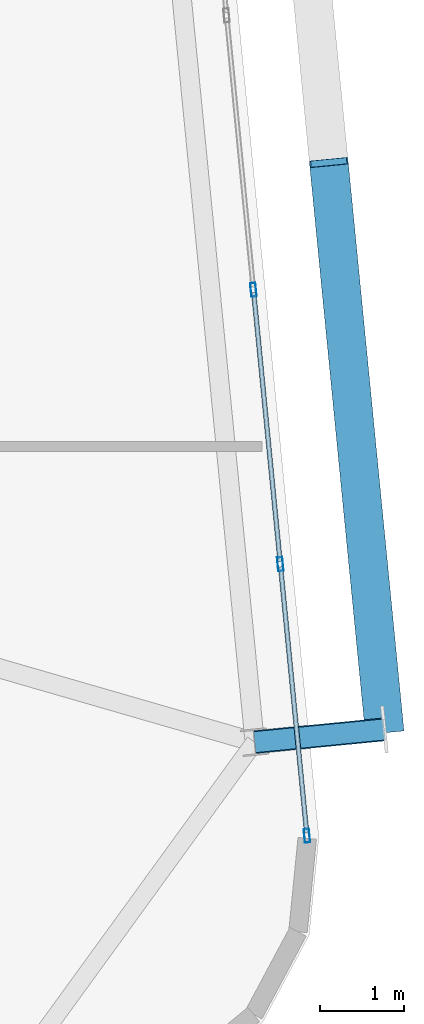
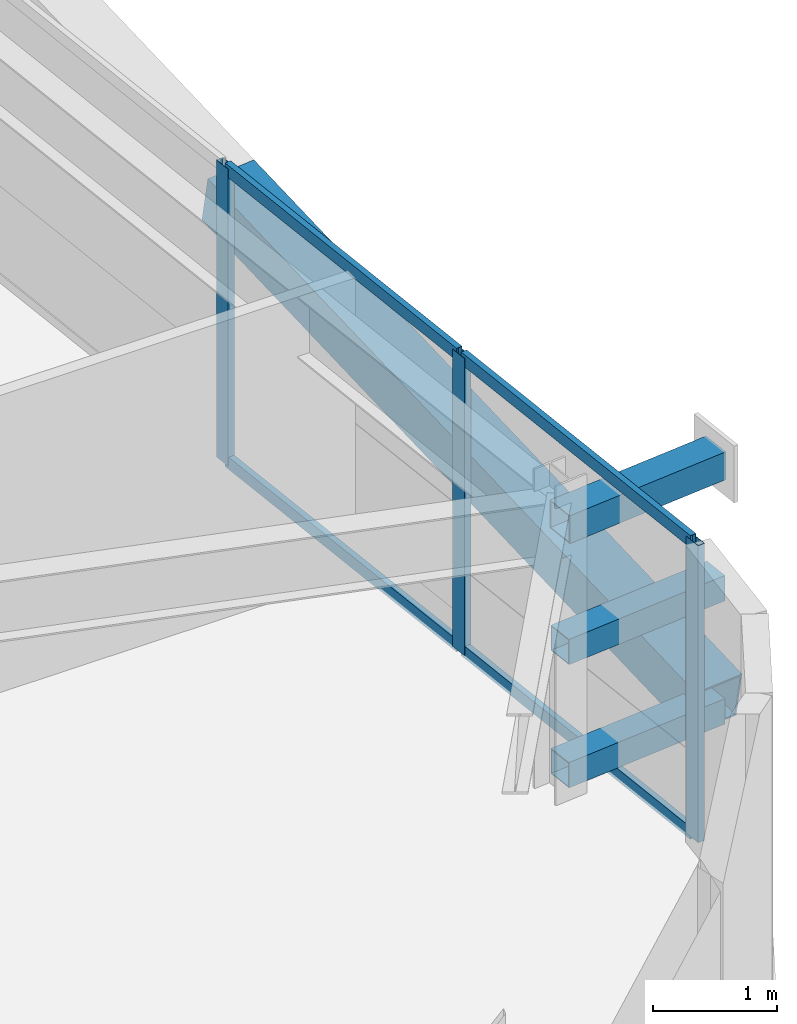
# One storey, part 22 of 52: 11 members, 1 element without a shape of its own.
"""IFC4 building model written with IfcOpenShell, lengths in metres."""

from ifc_helpers import new_model, si_unit, direction, frame, origin, origin_2d, place, context, subcontext, project, spatial, hollow_rectangle, extrude, source, transform, mapped, material, layer, layer_set, material_profile, profile_set, type_object, element, aggregate, save


model = new_model("IFC4")

# Units and contexts
model_context = context("Model", 3, precision=1e-05, world=origin(), true_north=direction((0.0, 1.0)))
body_context = subcontext(model_context, "Body", "Model", "MODEL_VIEW")
ifc_project = project(units=[si_unit("LENGTHUNIT", "METRE"), si_unit("AREAUNIT", "SQUARE_METRE"), si_unit("VOLUMEUNIT", "CUBIC_METRE"), si_unit("PLANEANGLEUNIT", "RADIAN"), si_unit("MASSUNIT", "GRAM", prefix="KILO")], contexts=[model_context])

# Site, building, storey
site_placement = place(None, origin())
site = spatial("IfcSite", under=ifc_project, at=site_placement, CompositionType="ELEMENT")
building_placement = place(site_placement, origin())
building = spatial("IfcBuilding", under=site, at=building_placement, Name="Taldren Reach Tower", CompositionType="ELEMENT")
storey_placement = place(building_placement, frame((0.0, 0.0, 74.550048828125)))
storey = spatial("IfcBuildingStorey", under=building, at=storey_placement, Name="L22", CompositionType="ELEMENT", Elevation=74.550048828125)

# Members
ifc_material_1 = material(Name="Steel Gr 450 (C450L0)", Category="steel")
ifc_material_profile_1 = material_profile(ifc_material_1, hollow_rectangle(XDim=0.27490234375, YDim=0.27490234375, WallThickness=0.00927734375, at=origin_2d()), Name="275x275x9.3SHS")
ifc_profile_set_1 = profile_set([ifc_material_profile_1], Name="Steel Gr 450 (C450L0)")
member_type_1 = type_object("IfcMemberType", Name="MB-TIE273", PredefinedType="STRUT", material=ifc_profile_set_1)
shared_shape_1 = source(origin(), body_context, "Body", "SweptSolid", [
    extrude(hollow_rectangle(XDim=0.27490234375, YDim=0.27490234375, WallThickness=0.00927734375, at=origin_2d()), origin(), (0.0, 0.0, 1.0), 1.550048828125),
])
member_1_placement = place(storey_placement, frame((65.8916015625, 8.483642578125, 2.64990234375), z_axis=(0.995236318924, 0.097491894511, 0.0), x_axis=(-0.097491894511, 0.995236318924, 0.0)))
element("IfcMember", 1, at=member_1_placement, inside=storey, type_object=member_type_1, Name="Exoskeleton diaphragm tie strut B2-E1 L22", PredefinedType="STRUT", context=body_context, shape_type="MappedRepresentation", body=[
    mapped(shared_shape_1, transform((0.0, 0.0, 0.0), scale=1.0)),
])
ifc_material_2 = material(Name="Steel Gr 350 (C350L0)", Category="steel")
ifc_material_profile_2 = material_profile(ifc_material_2, hollow_rectangle(XDim=0.25, YDim=0.25, WallThickness=0.010009765625, at=origin_2d()), Name="250x250x10.0SHS")
ifc_profile_set_2 = profile_set([ifc_material_profile_2], Name="Steel Gr 350 (C350L0)")
member_type_2 = type_object("IfcMemberType", Name="MB-POST250", PredefinedType="POST", material=ifc_profile_set_2)
shared_shape_2 = source(origin(), body_context, "Body", "SweptSolid", [
    extrude(hollow_rectangle(XDim=0.25, YDim=0.25, WallThickness=0.010009765625, at=origin_2d()), origin(), (0.0, 0.0, 1.0), 1.550048828125),
])
for number, where, z_axis, x_axis, name in (
    (2, (65.8916015625, 8.483642578125, 0.219970703125), (0.995236318924, 0.097491894511, 0.0), (-0.097491894511, 0.995236318924, 0.0), "Exoskeleton base diaphragm tie strut B2-E1 L22"),
    (3, (65.8916015625, 8.483642578125, 1.43505859375), (0.995236318924, 0.097491894511, 0.0), (-0.097491894511, 0.995236318924, 0.0), "Exoskeleton mid-tier diaphragm tie B2-E1 L22"),
):
    element("IfcMember", number, at=place(storey_placement, frame(where, z_axis=z_axis, x_axis=x_axis)), inside=storey, type_object=member_type_2, Name=name, PredefinedType="POST", context=body_context, shape_type="MappedRepresentation", body=[
        mapped(shared_shape_2, transform((0.0, 0.0, 0.0), scale=1.0)),
    ])
ifc_material_profile_3 = material_profile(ifc_material_1, hollow_rectangle(XDim=0.4599609375, YDim=0.4599609375, WallThickness=0.01611328125, at=origin_2d()), Name="460x460x16.0SHS")
ifc_profile_set_3 = profile_set([ifc_material_profile_3], Name="Steel Gr 450 (C450L0)")
member_type_3 = type_object("IfcMemberType", Name="MB-EXO457", PredefinedType="BRACE", material=ifc_profile_set_3)
shared_shape_3 = source(origin(), body_context, "Body", "SweptSolid", [
    extrude(hollow_rectangle(XDim=0.4599609375, YDim=0.4599609375, WallThickness=0.01611328125, at=origin_2d()), origin(), (0.0, 0.0, 1.0), 6.883056640625),
])
member_2_placement = place(storey_placement, frame((67.434326171875, 8.634765625, 0.219970703125), z_axis=(-0.09605145821, 0.97959718347, 0.176531797456), x_axis=(-0.995227290009, -0.097584021339, 0.0)))
element("IfcMember", 4, at=member_2_placement, inside=storey, type_object=member_type_3, Name="Exoskeleton Diagrid Brace B2-E1 L22", PredefinedType="BRACE", context=body_context, shape_type="MappedRepresentation", body=[
    mapped(shared_shape_3, transform((0.0, 0.0, 0.0), scale=1.0)),
])

# Curtain wall, members
ifc_material_3 = material(Name="Aluminium and Low-E Glass Unitised System", Category="aluminium")
ifc_layer = layer(ifc_material_3, 0.159912109375)
ifc_layer_set = layer_set([ifc_layer], Name="Aluminium and Low-E Glass Unitised System")
curtain_wall_type = type_object("IfcCurtainWallType", Name="CW-SYS-3", PredefinedType="NOTDEFINED", material=ifc_layer_set)
curtain_wall_placement = place(storey_placement, origin())
curtain_wall = element("IfcCurtainWall", 5, at=curtain_wall_placement, inside=storey, type_object=curtain_wall_type, Name="Unitised curtain wall CW-L22-E", PredefinedType="NOTDEFINED")
ifc_material_4 = material(Name="Anodised Aluminium 6063-T6", Category="aluminium")
ifc_material_profile_4 = material_profile(ifc_material_4, hollow_rectangle(XDim=0.06494140625, YDim=0.1650390625, WallThickness=0.00390625, at=origin_2d()), Name="ALU-165x65x4RHS")
ifc_profile_set_4 = profile_set([ifc_material_profile_4], Name="Anodised Aluminium 6063-T6")
member_type_4 = type_object("IfcMemberType", Name="CW-MUL-165", PredefinedType="MULLION", material=ifc_profile_set_4)
shared_shape_4 = source(origin(), body_context, "Body", "SweptSolid", [
    extrude(hollow_rectangle(XDim=0.06494140625, YDim=0.1650390625, WallThickness=0.00390625, at=origin_2d()), origin(), (0.0, 0.0, 1.0), 2.929931640625),
])
member_3_placement = place(storey_placement, frame((66.51318359375, 7.371337890625, 0.0), z_axis=(0.0, 0.0, 1.0), x_axis=(-0.99522741555, -0.09758274098, 0.0)))
member_3 = element("IfcMember", 6, at=member_3_placement, type_object=member_type_4, Name="CW-3 mullion 1", PredefinedType="MULLION", context=body_context, shape_type="MappedRepresentation", body=[
    mapped(shared_shape_4, transform((0.0, 0.0, 0.0), scale=1.0)),
])
member_4_placement = place(storey_placement, frame((66.196533203125, 10.60107421875, 0.0), z_axis=(0.0, 0.0, 1.0), x_axis=(-0.99522741555, -0.09758274098, 0.0)))
member_4 = element("IfcMember", 7, at=member_4_placement, type_object=member_type_4, Name="CW-3 mullion 2", PredefinedType="MULLION", context=body_context, shape_type="MappedRepresentation", body=[
    mapped(shared_shape_4, transform((0.0, 0.0, 0.0), scale=1.0)),
])
member_5_placement = place(storey_placement, frame((65.876708984375, 13.86328125, 0.0), z_axis=(0.0, 0.0, 1.0), x_axis=(-0.99522741555, -0.09758274098, 0.0)))
member_5 = element("IfcMember", 8, at=member_5_placement, type_object=member_type_4, Name="CW-3 mullion 3", PredefinedType="MULLION", context=body_context, shape_type="MappedRepresentation", body=[
    mapped(shared_shape_4, transform((0.0, 0.0, 0.0), scale=1.0)),
])
ifc_material_profile_5 = material_profile(ifc_material_4, hollow_rectangle(XDim=0.054931640625, YDim=0.1201171875, WallThickness=0.0029296875, at=origin_2d()), Name="ALU-120x55x3RHS")
ifc_profile_set_5 = profile_set([ifc_material_profile_5], Name="Anodised Aluminium 6063-T6")
member_type_5 = type_object("IfcMemberType", Name="CW-TRN-135", PredefinedType="USERDEFINED", material=ifc_profile_set_5)
shared_shape_5 = source(origin(), body_context, "Body", "SweptSolid", [
    extrude(hollow_rectangle(XDim=0.054931640625, YDim=0.1201171875, WallThickness=0.0029296875, at=origin_2d()), origin(), (0.0, 0.0, 1.0), 3.18017578125),
])
member_6_placement = place(storey_placement, frame((66.510009765625, 7.40380859375, 0.02734375), z_axis=(-0.097572914968, 0.995228378949, 0.0), x_axis=(-0.995228378949, -0.097572914968, 0.0)))
member_6 = element("IfcMember", 9, at=member_6_placement, type_object=member_type_5, Name="CW-3 transom 1.1", ObjectType="TRANSOM", PredefinedType="USERDEFINED", context=body_context, shape_type="MappedRepresentation", body=[
    mapped(shared_shape_5, transform((0.0, 0.0, 0.0), scale=1.0)),
])
member_7_placement = place(storey_placement, frame((66.510009765625, 7.40380859375, 2.90234375), z_axis=(-0.097572914968, 0.995228378949, 0.0), x_axis=(-0.995228378949, -0.097572914968, 0.0)))
member_7 = element("IfcMember", 10, at=member_7_placement, type_object=member_type_5, Name="CW-3 transom 1.2", ObjectType="TRANSOM", PredefinedType="USERDEFINED", context=body_context, shape_type="MappedRepresentation", body=[
    mapped(shared_shape_5, transform((0.0, 0.0, 0.0), scale=1.0)),
])
shared_shape_6 = source(origin(), body_context, "Body", "SweptSolid", [
    extrude(hollow_rectangle(XDim=0.054931640625, YDim=0.1201171875, WallThickness=0.0029296875, at=origin_2d()), origin(), (0.0, 0.0, 1.0), 3.212890625),
])
member_8_placement = place(storey_placement, frame((66.193359375, 10.633544921875, 0.02734375), z_axis=(-0.097569948235, 0.995228669805, 0.0), x_axis=(-0.995228669805, -0.097569948235, 0.0)))
member_8 = element("IfcMember", 11, at=member_8_placement, type_object=member_type_5, Name="CW-3 transom 2.1", ObjectType="TRANSOM", PredefinedType="USERDEFINED", context=body_context, shape_type="MappedRepresentation", body=[
    mapped(shared_shape_6, transform((0.0, 0.0, 0.0), scale=1.0)),
])
member_9_placement = place(storey_placement, frame((66.193359375, 10.633544921875, 2.90234375), z_axis=(-0.097569948235, 0.995228669805, 0.0), x_axis=(-0.995228669805, -0.097569948235, 0.0)))
member_9 = element("IfcMember", 12, at=member_9_placement, type_object=member_type_5, Name="CW-3 transom 2.2", ObjectType="TRANSOM", PredefinedType="USERDEFINED", context=body_context, shape_type="MappedRepresentation", body=[
    mapped(shared_shape_6, transform((0.0, 0.0, 0.0), scale=1.0)),
])
aggregate(curtain_wall, [member_3, member_4, member_5, member_6, member_7, member_8, member_9])

save(model, "model.ifc")
